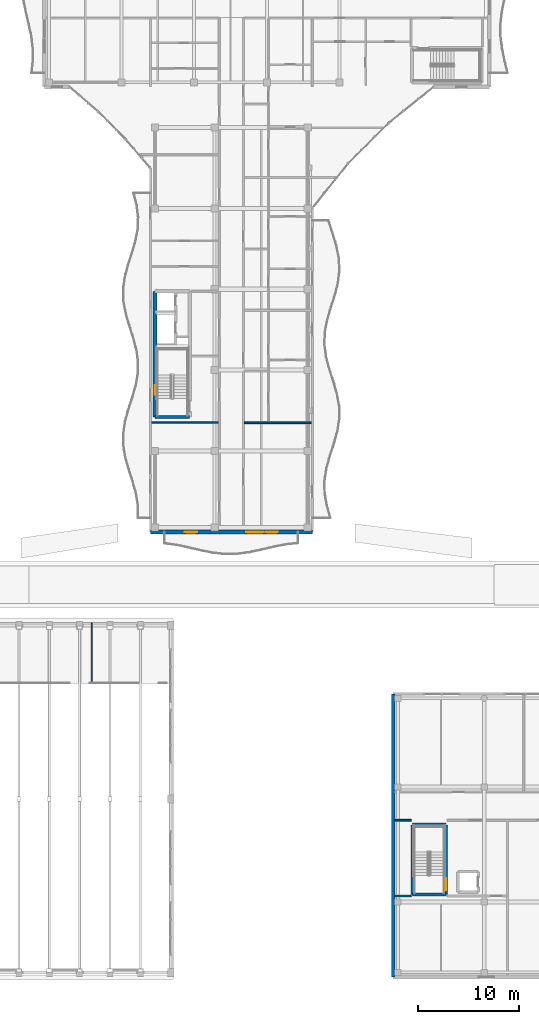
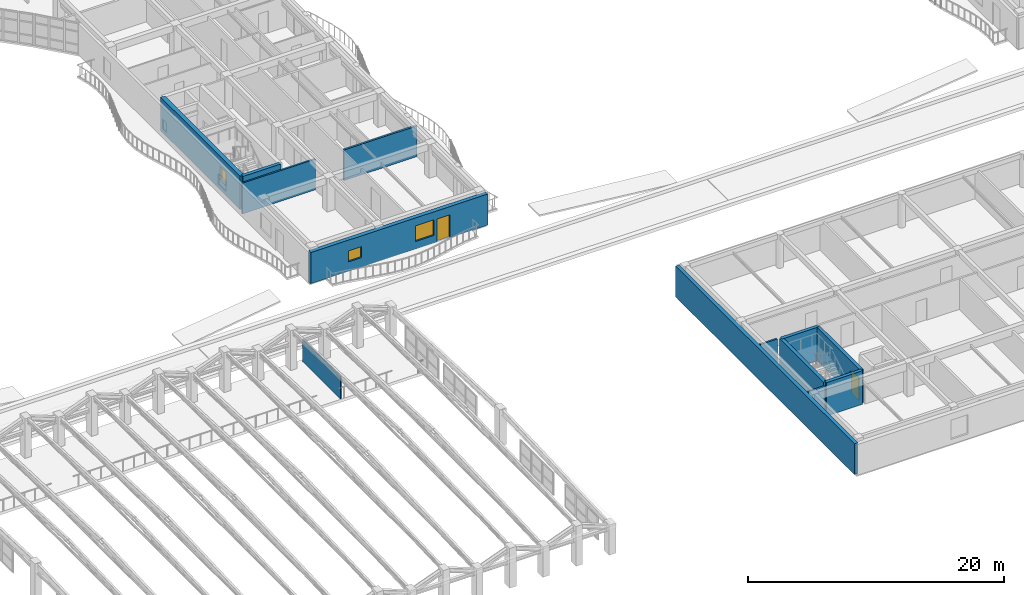
# One storey, part 84 of 128: 13 walls, 3 windows, 2 doors, 5 openings.
"""IFC4 building model written with IfcOpenShell, lengths in metres."""

from ifc_helpers import new_model, si_unit, direction, frame, frame_2d, origin, place, context, subcontext, project, spatial, rectangle, extrude, material, layer, layer_set, type_object, element, fill, save


model = new_model("IFC4")

# Units and contexts
model_context = context("Model", 3, precision=1e-05, world=origin(), true_north=direction((0.0, 1.0)))
body_context = subcontext(model_context, "Body", "Model", "MODEL_VIEW")
ifc_project = project(units=[si_unit("LENGTHUNIT", "METRE"), si_unit("AREAUNIT", "SQUARE_METRE"), si_unit("VOLUMEUNIT", "CUBIC_METRE"), si_unit("PLANEANGLEUNIT", "RADIAN"), si_unit("MASSUNIT", "GRAM", prefix="KILO")], contexts=[model_context])

# Site, building, storey
site_placement = place(None, origin())
site = spatial("IfcSite", under=ifc_project, at=site_placement, CompositionType="ELEMENT")
building_placement = place(site_placement, origin())
building = spatial("IfcBuilding", under=site, at=building_placement, Name="Keldmere Railside Commons", CompositionType="ELEMENT")
storey_placement = place(building_placement, frame((0.0, 0.0, 4.159912109375)))
storey = spatial("IfcBuildingStorey", under=building, at=storey_placement, Name="L01", CompositionType="ELEMENT", Elevation=4.159912109375)

# Walls
ifc_material_1 = material(Name="Acoustic Gypsum Board Partition", Category="gypsum")
ifc_layer_1 = layer(ifc_material_1, 0.179931640625, Name="Acoustic Demising Partition 180")
ifc_layer_set_1 = layer_set([ifc_layer_1], Name="Acoustic Gypsum Board Partition")
wall_type_1 = type_object("IfcWallType", Name="Acoustic Demising Partition 180", PredefinedType="PARTITIONING", material=ifc_layer_set_1)
wall_1_placement = place(storey_placement, frame((113.280029296875, 66.7900390625, 0.0), z_axis=(0.0, 0.0, 1.0), x_axis=(1.0, 0.0, 0.0)))
element("IfcWall", 1, at=wall_1_placement, inside=storey, type_object=wall_type_1, Name="IW-1 IW-L01-0929", PredefinedType="PARTITIONING", context=body_context, shape_type="SweptSolid", body=[
    extrude(rectangle(XDim=6.599853515625, YDim=0.179931640625, at=frame_2d((3.2998046875, 0.0))), origin(), (0.0, 0.0, 1.0), 2.93505859375),
])
ifc_layer_2 = layer(ifc_material_1, 0.1201171875, Name="Apartment Interior Partition 120")
ifc_layer_set_2 = layer_set([ifc_layer_2], Name="Acoustic Gypsum Board Partition")
wall_type_2 = type_object("IfcWallType", Name="Apartment Interior Partition 120", PredefinedType="PARTITIONING", material=ifc_layer_set_2)
wall_2_placement = place(storey_placement, frame((98.199951171875, 41.050048828125, 0.0), z_axis=(0.0, 0.0, 1.0), x_axis=(0.0, 1.0, 0.0)))
element("IfcWall", 2, at=wall_2_placement, inside=storey, type_object=wall_type_2, Name="IW-4 IW-L01-0099", PredefinedType="PARTITIONING", context=body_context, shape_type="SweptSolid", body=[
    extrude(rectangle(XDim=5.949951171875, YDim=0.1201171875, at=frame_2d((2.97509765625, 0.0))), origin(), (0.0, 0.0, 1.0), 2.16015625),
])

# Wall, opening, window
ifc_material_2 = material(Name="Concrete H-40 (C40/50)", Category="concrete")
ifc_layer_3 = layer(ifc_material_2, 0.3798828125, Name="Core Shear Wall 380")
ifc_layer_set_3 = layer_set([ifc_layer_3], Name="Concrete H-40 (C40/50)")
wall_type_3 = type_object("IfcWallType", Name="Core Shear Wall 380", PredefinedType="SHEAR", material=ifc_layer_set_3)
wall_3_placement = place(storey_placement, frame((104.4599609375, 67.35009765625, 0.0), z_axis=(0.0, 0.0, 1.0), x_axis=(0.0, 1.0, 0.0)))
wall_3 = element("IfcWall", 3, at=wall_3_placement, inside=storey, type_object=wall_type_3, Name="CW-CORE COREBW-L01-0444", PredefinedType="SHEAR", context=body_context, shape_type="SweptSolid", body=[
    extrude(rectangle(XDim=12.449951171875, YDim=0.3798828125, at=frame_2d((6.22509765625, 0.0))), origin(), (0.0, 0.0, 1.0), 3.2001953125),
])
opening_1_placement = place(wall_3_placement, frame((2.199951171875, 0.0, 0.969970703125)))
opening_1 = element("IfcOpeningElement", 4, at=opening_1_placement, cuts=wall_3, Name="Opening WN-17", PredefinedType="OPENING", context=body_context, shape_type="SweptSolid", body=[
    extrude(rectangle(XDim=0.949951171875, YDim=1.25, at=frame_2d((0.47509765625, 0.625))), frame((0.0, 0.199951171875, 0.0), z_axis=(0.0, -1.0, 0.0), x_axis=(1.0, 0.0, 0.0)), (0.0, 0.0, 1.0), 0.39990234375),
])
ifc_material_3 = material(Name="Low-E Insulated Double Glazing", Category="glass")
window_type_1 = type_object("IfcWindowType", Name="Stair Core Natural Smoke-Vent Window 950x1250", PartitioningType="SINGLE_PANEL", PredefinedType="WINDOW", material=ifc_material_3)
window_1_placement = place(opening_1_placement, origin())
window_1 = element("IfcWindow", 5, at=window_1_placement, inside=storey, type_object=window_type_1, Name="WN-17 WIN-L01-0338", OverallHeight=1.25, OverallWidth=0.949951171875, PartitioningType="SINGLE_PANEL", PredefinedType="WINDOW", context=body_context, shape_type="SweptSolid", body=[
    extrude(rectangle(XDim=0.949951171875, YDim=1.25, at=frame_2d((0.47509765625, 0.625))), frame((0.0, 0.030029296875, 0.0), z_axis=(0.0, -1.0, 0.0), x_axis=(1.0, 0.0, 0.0)), (0.0, 0.0, 1.0), 0.06005859375),
])
fill(opening_1, window_1)

# Walls
ifc_layer_4 = layer(ifc_material_1, 0.159912109375, Name="Corridor Fire Partition 160")
ifc_layer_set_4 = layer_set([ifc_layer_4], Name="Acoustic Gypsum Board Partition")
wall_type_4 = type_object("IfcWallType", Name="Corridor Fire Partition 160", PredefinedType="PARTITIONING", material=ifc_layer_set_4)
for number, where, z_axis, x_axis, name in (
    (6, (128.159912109375, 27.5, 0.0), (0.0, 0.0, 1.0), (1.0, 0.0, 0.0), "IW-2 IW-L01-0147"),
    (7, (128.159912109375, 20.0, 0.0), (0.0, 0.0, 1.0), (1.0, 0.0, 0.0), "IW-2 IW-L01-0159"),
):
    element("IfcWall", number, at=place(storey_placement, frame(where, z_axis=z_axis, x_axis=x_axis)), inside=storey, type_object=wall_type_4, Name=name, PredefinedType="PARTITIONING", context=body_context, shape_type="SweptSolid", body=[
        extrude(rectangle(XDim=1.60009765625, YDim=0.159912109375, at=frame_2d((0.800048828125, 0.0))), origin(), (0.0, 0.0, 1.0), 2.93017578125),
    ])
ifc_material_4 = material(Name="Concrete H-35 (C35/45)", Category="concrete")
ifc_layer_5 = layer(ifc_material_4, 0.320068359375, Name="Exterior Shear Wall 320")
ifc_layer_set_5 = layer_set([ifc_layer_5], Name="Concrete H-35 (C35/45)")
wall_type_5 = type_object("IfcWallType", Name="Exterior Shear Wall 320", PredefinedType="SHEAR", material=ifc_layer_set_5)
wall_4_placement = place(storey_placement, frame((128.0, 12.0, 0.0), z_axis=(0.0, 0.0, 1.0), x_axis=(0.0, 1.0, 0.0)))
element("IfcWall", 8, at=wall_4_placement, inside=storey, type_object=wall_type_5, Name="ESW-2 ARCW-L01-1014", PredefinedType="SHEAR", context=body_context, shape_type="SweptSolid", body=[
    extrude(rectangle(XDim=28.0, YDim=0.320068359375, at=frame_2d((14.0, 0.0))), origin(), (0.0, 0.0, 1.0), 2.940185546875),
])

# Wall, openings, windows, door
ifc_layer_6 = layer(ifc_material_4, 0.360107421875, Name="Exterior Shear Wall 360")
ifc_layer_set_6 = layer_set([ifc_layer_6], Name="Concrete H-35 (C35/45)")
wall_type_6 = type_object("IfcWallType", Name="Exterior Shear Wall 360", PredefinedType="SHEAR", material=ifc_layer_set_6)
wall_5_placement = place(storey_placement, frame((120.0, 56.0, 0.0), z_axis=(0.0, 0.0, 1.0), x_axis=(-1.0, 0.0, 0.0)))
wall_5 = element("IfcWall", 9, at=wall_5_placement, inside=storey, type_object=wall_type_6, Name="ESW-1 EXTB-L01-0584", PredefinedType="SHEAR", context=body_context, shape_type="SweptSolid", body=[
    extrude(rectangle(XDim=16.0, YDim=0.360107421875, at=frame_2d((8.0, 0.0))), origin(), (0.0, 0.0, 1.0), 2.97998046875),
])
opening_2_placement = place(wall_5_placement, frame((3.39990234375, 0.0, 0.0)))
opening_2 = element("IfcOpeningElement", 10, at=opening_2_placement, cuts=wall_5, Name="Opening BD-01", PredefinedType="OPENING", context=body_context, shape_type="SweptSolid", body=[
    extrude(rectangle(XDim=1.199951171875, YDim=2.199951171875, at=frame_2d((0.60009765625, 1.10009765625))), frame((0.0, 0.18994140625, 0.0), z_axis=(0.0, -1.0, 0.0), x_axis=(1.0, 0.0, 0.0)), (0.0, 0.0, 1.0), 0.380126953125),
])
opening_3_placement = place(wall_5_placement, frame((4.85009765625, 0.0, 0.719970703125)))
opening_3 = element("IfcOpeningElement", 11, at=opening_3_placement, cuts=wall_5, Name="Opening WN-20", PredefinedType="OPENING", context=body_context, shape_type="SweptSolid", body=[
    extrude(rectangle(XDim=1.699951171875, YDim=1.5, at=frame_2d((0.85009765625, 0.75))), frame((0.0, 0.18994140625, 0.0), z_axis=(0.0, -1.0, 0.0), x_axis=(1.0, 0.0, 0.0)), (0.0, 0.0, 1.0), 0.380126953125),
])
opening_4_placement = place(wall_5_placement, frame((11.39990234375, 0.0, 0.89990234375)))
opening_4 = element("IfcOpeningElement", 12, at=opening_4_placement, cuts=wall_5, Name="Opening WN-14", PredefinedType="OPENING", context=body_context, shape_type="SweptSolid", body=[
    extrude(rectangle(XDim=1.199951171875, YDim=1.050048828125, at=frame_2d((0.60009765625, 0.52490234375))), frame((0.0, 0.18994140625, 0.0), z_axis=(0.0, -1.0, 0.0), x_axis=(1.0, 0.0, 0.0)), (0.0, 0.0, 1.0), 0.380126953125),
])
window_type_2 = type_object("IfcWindowType", Name="Apartment Kitchen Ribbon Window 1200x1050", PartitioningType="SINGLE_PANEL", PredefinedType="WINDOW", material=ifc_material_3)
window_2_placement = place(opening_4_placement, origin())
window_2 = element("IfcWindow", 13, at=window_2_placement, inside=storey, type_object=window_type_2, Name="WN-14 WIN-L01-0365", OverallHeight=1.050048828125, OverallWidth=1.199951171875, PartitioningType="SINGLE_PANEL", PredefinedType="WINDOW", context=body_context, shape_type="SweptSolid", body=[
    extrude(rectangle(XDim=1.199951171875, YDim=1.050048828125, at=frame_2d((0.60009765625, 0.52490234375))), frame((0.0, 0.030029296875, 0.0), z_axis=(0.0, -1.0, 0.0), x_axis=(1.0, 0.0, 0.0)), (0.0, 0.0, 1.0), 0.06005859375),
])
fill(opening_4, window_2)
ifc_material_5 = material(Name="Thermally Broken Aluminium", Category="aluminium")
door_type_1 = type_object("IfcDoorType", Name="Apartment Living Wave-Balcony Glazed Door 1200x2200", OperationType="NOTDEFINED", PredefinedType="DOOR", material=ifc_material_5)
door_1_placement = place(opening_2_placement, origin())
door_1 = element("IfcDoor", 14, at=door_1_placement, inside=storey, type_object=door_type_1, Name="BD-01 DR-L01-0128", OperationType="SINGLE_SWING_RIGHT", OverallHeight=2.199951171875, OverallWidth=1.199951171875, PredefinedType="DOOR", context=body_context, shape_type="SweptSolid", body=[
    extrude(rectangle(XDim=1.199951171875, YDim=2.199951171875, at=frame_2d((0.60009765625, 1.10009765625))), frame((0.0, 0.02490234375, 0.0), z_axis=(0.0, -1.0, 0.0), x_axis=(1.0, 0.0, 0.0)), (0.0, 0.0, 1.0), 0.050048828125),
])
fill(opening_2, door_1)
window_type_3 = type_object("IfcWindowType", Name="Study Room Quiet Casement Window 1700x1500", PartitioningType="SINGLE_PANEL", PredefinedType="WINDOW", material=ifc_material_3)
window_3_placement = place(opening_3_placement, origin())
window_3 = element("IfcWindow", 15, at=window_3_placement, inside=storey, type_object=window_type_3, Name="WN-20 WIN-L01-0364", OverallHeight=1.5, OverallWidth=1.699951171875, PartitioningType="SINGLE_PANEL", PredefinedType="WINDOW", context=body_context, shape_type="SweptSolid", body=[
    extrude(rectangle(XDim=1.699951171875, YDim=1.5, at=frame_2d((0.85009765625, 0.75))), frame((0.0, 0.030029296875, 0.0), z_axis=(0.0, -1.0, 0.0), x_axis=(1.0, 0.0, 0.0)), (0.0, 0.0, 1.0), 0.06005859375),
])
fill(opening_3, window_3)

# Walls
ifc_layer_7 = layer(ifc_material_4, 0.300048828125, Name="Interior Shear Wall 300")
ifc_layer_set_7 = layer_set([ifc_layer_7], Name="Concrete H-35 (C35/45)")
wall_type_7 = type_object("IfcWallType", Name="Interior Shear Wall 300", PredefinedType="SHEAR", material=ifc_layer_set_7)
wall_6_placement = place(storey_placement, frame((107.8701171875, 67.35009765625, 0.0), z_axis=(0.0, 0.0, 1.0), x_axis=(-1.0, 0.0, 0.0)))
element("IfcWall", 16, at=wall_6_placement, inside=storey, type_object=wall_type_7, Name="ISW-2 COREBS-L01-0447", PredefinedType="SHEAR", context=body_context, shape_type="SweptSolid", body=[
    extrude(rectangle(XDim=3.41015625, YDim=0.300048828125, at=frame_2d((1.705078125, 0.0))), origin(), (0.0, 0.0, 1.0), 3.2001953125),
])
wall_7_placement = place(storey_placement, frame((133.199951171875, 20.14990234375, 0.0), z_axis=(0.0, 0.0, 1.0), x_axis=(-1.0, 0.0, 0.0)))
element("IfcWall", 17, at=wall_7_placement, inside=storey, type_object=wall_type_7, Name="ISW-2 WAL-ST-M1-L01-S", PredefinedType="SHEAR", context=body_context, shape_type="SweptSolid", body=[
    extrude(rectangle(XDim=3.2900390625, YDim=0.300048828125, at=frame_2d((1.64501953125, 0.0))), origin(), (0.0, 0.0, 1.0), 3.2001953125),
])

# Wall, opening, door
wall_8_placement = place(storey_placement, frame((133.199951171875, 27.050048828125, 0.0), z_axis=(0.0, 0.0, 1.0), x_axis=(0.0, -1.0, 0.0)))
wall_8 = element("IfcWall", 18, at=wall_8_placement, inside=storey, type_object=wall_type_7, Name="ISW-2 WAL-ST-M1-L01-E", PredefinedType="SHEAR", context=body_context, shape_type="SweptSolid", body=[
    extrude(rectangle(XDim=6.900146484375, YDim=0.300048828125, at=frame_2d((3.4501953125, 0.0))), origin(), (0.0, 0.0, 1.0), 3.2001953125),
])
opening_5_placement = place(wall_8_placement, frame((5.300048828125, 0.0, 0.0)))
opening_5 = element("IfcOpeningElement", 19, at=opening_5_placement, cuts=wall_8, Name="Opening FD-10", PredefinedType="OPENING", context=body_context, shape_type="SweptSolid", body=[
    extrude(rectangle(XDim=1.199951171875, YDim=2.199951171875, at=frame_2d((0.60009765625, 1.10009765625))), frame((0.0, 0.159912109375, 0.0), z_axis=(0.0, -1.0, 0.0), x_axis=(1.0, 0.0, 0.0)), (0.0, 0.0, 1.0), 0.320068359375),
])
ifc_material_6 = material(Name="Steel F-24 (S235)", Category="steel")
door_type_2 = type_object("IfcDoorType", Name="Civic Core Fire Door 1200x2200", OperationType="NOTDEFINED", PredefinedType="DOOR", material=ifc_material_6)
door_2_placement = place(opening_5_placement, origin())
door_2 = element("IfcDoor", 20, at=door_2_placement, inside=storey, type_object=door_type_2, Name="FD-3 ST-M1 L01", OperationType="SINGLE_SWING_LEFT", OverallHeight=2.199951171875, OverallWidth=1.199951171875, PredefinedType="DOOR", context=body_context, shape_type="SweptSolid", body=[
    extrude(rectangle(XDim=1.199951171875, YDim=2.199951171875, at=frame_2d((0.60009765625, 1.10009765625))), frame((0.0, 0.02490234375, 0.0), z_axis=(0.0, -1.0, 0.0), x_axis=(1.0, 0.0, 0.0)), (0.0, 0.0, 1.0), 0.050048828125),
])
fill(opening_5, door_2)

# Walls
wall_9_placement = place(storey_placement, frame((129.909912109375, 27.050048828125, 0.0), z_axis=(0.0, 0.0, 1.0), x_axis=(1.0, 0.0, 0.0)))
element("IfcWall", 21, at=wall_9_placement, inside=storey, type_object=wall_type_7, Name="ISW-2 WAL-ST-M1-L01-N", PredefinedType="SHEAR", context=body_context, shape_type="SweptSolid", body=[
    extrude(rectangle(XDim=3.2900390625, YDim=0.300048828125, at=frame_2d((1.64501953125, 0.0))), origin(), (0.0, 0.0, 1.0), 3.2001953125),
])
wall_10_placement = place(storey_placement, frame((129.909912109375, 20.14990234375, 0.0), z_axis=(0.0, 0.0, 1.0), x_axis=(0.0, 1.0, 0.0)))
element("IfcWall", 22, at=wall_10_placement, inside=storey, type_object=wall_type_7, Name="ISW-2 WAL-ST-M1-L01-W", PredefinedType="SHEAR", context=body_context, shape_type="SweptSolid", body=[
    extrude(rectangle(XDim=6.900146484375, YDim=0.300048828125, at=frame_2d((3.4501953125, 0.0))), origin(), (0.0, 0.0, 1.0), 3.2001953125),
])
ifc_layer_8 = layer(ifc_material_1, 0.14990234375, Name="Lobby Rated Partition 150")
ifc_layer_set_8 = layer_set([ifc_layer_8], Name="Acoustic Gypsum Board Partition")
wall_type_8 = type_object("IfcWallType", Name="Lobby Rated Partition 150", PredefinedType="PARTITIONING", material=ifc_layer_set_8)
wall_11_placement = place(storey_placement, frame((104.1201171875, 66.820068359375, 0.0), z_axis=(0.0, 0.0, 1.0), x_axis=(1.0, 0.0, 0.0)))
element("IfcWall", 23, at=wall_11_placement, inside=storey, type_object=wall_type_8, Name="IW-3 IW-L01-0917", PredefinedType="PARTITIONING", context=body_context, shape_type="SweptSolid", body=[
    extrude(rectangle(XDim=6.599853515625, YDim=0.14990234375, at=frame_2d((3.2998046875, 0.0))), origin(), (0.0, 0.0, 1.0), 2.93505859375),
])

save(model, "model.ifc")
